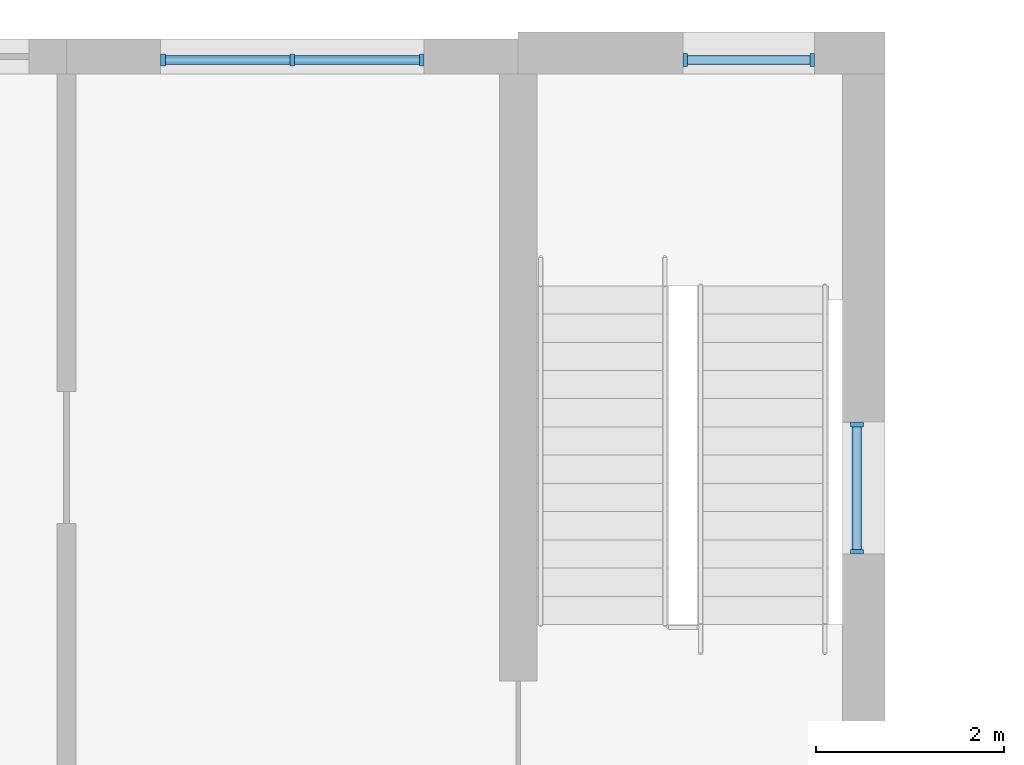
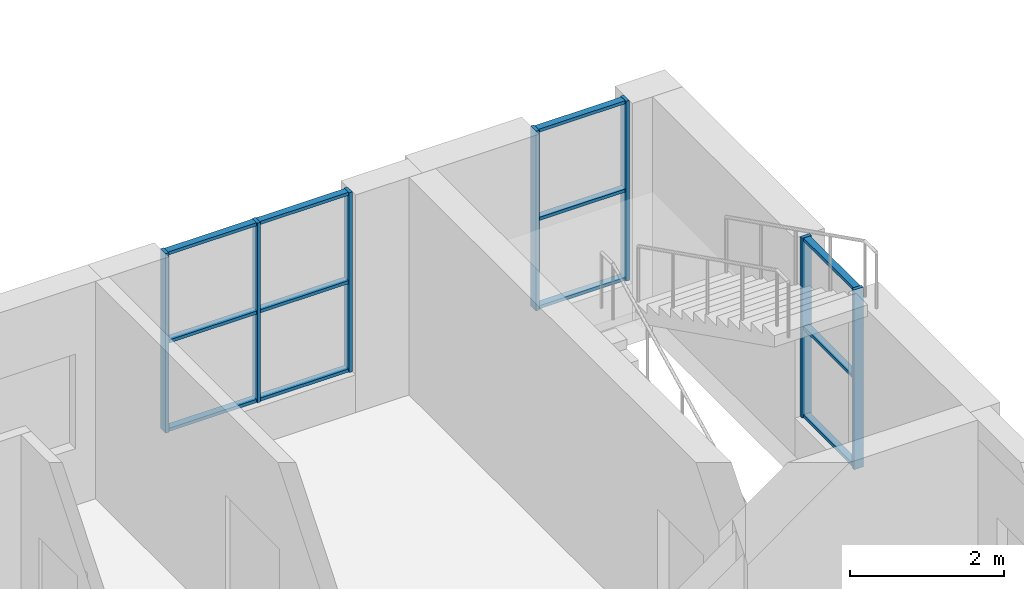
# One storey, part 33 of 94: 19 members, 3 elements without a shape of their own.
"""IFC4 building model written with IfcOpenShell, lengths in metres."""

from ifc_helpers import new_model, si_unit, direction, frame, origin, origin_2d, place, context, subcontext, project, spatial, rectangle, extrude, material, material_profile, profile_set, type_object, element, aggregate, save


model = new_model("IFC4")

# Units and contexts
model_context = context("Model", 3, precision=1e-05, world=origin(), true_north=direction((0.0, 1.0)))
body_context = subcontext(model_context, "Body", "Model", "MODEL_VIEW")
ifc_project = project(units=[si_unit("LENGTHUNIT", "METRE"), si_unit("AREAUNIT", "SQUARE_METRE"), si_unit("VOLUMEUNIT", "CUBIC_METRE"), si_unit("PLANEANGLEUNIT", "RADIAN"), si_unit("MASSUNIT", "GRAM", prefix="KILO")], contexts=[model_context])

# Site, building, storey
site_placement = place(None, origin())
site = spatial("IfcSite", under=ifc_project, at=site_placement, CompositionType="ELEMENT")
building_placement = place(site_placement, origin())
building = spatial("IfcBuilding", under=site, at=building_placement, Name="Yavir Park General Hospital", CompositionType="ELEMENT")
storey_placement = place(building_placement, frame((0.0, 0.0, 4.5)))
storey = spatial("IfcBuildingStorey", under=building, at=storey_placement, Name="L01", CompositionType="ELEMENT", Elevation=4.5)

# Curtain wall, members
ifc_material_1 = material(Name="Aluminium curtain wall frame with insulated glazing", Category="aluminium")
curtain_wall_type_1 = type_object("IfcCurtainWallType", Name="Clinical corridor end glazing, 2850 high, 1400 module", PredefinedType="NOTDEFINED", material=ifc_material_1)
curtain_wall_1_placement = place(storey_placement, origin())
curtain_wall_1 = element("IfcCurtainWall", 1, at=curtain_wall_1_placement, inside=storey, type_object=curtain_wall_type_1, Name="CW18 L01-011", PredefinedType="NOTDEFINED")
ifc_material_2 = material(Name="Aluminium", Category="aluminium")
ifc_material_profile_1 = material_profile(ifc_material_2, rectangle(XDim=0.1298828125, YDim=0.050048828125, at=origin_2d()), Name="AL 50x130")
ifc_profile_set_1 = profile_set([ifc_material_profile_1], Name="Aluminium")
member_type_1 = type_object("IfcMemberType", Name="Clinical corridor end glazing, 2850 high mullion 50 x 130", PredefinedType="MULLION", material=ifc_profile_set_1)
member_1_placement = place(storey_placement, frame((17.824951171875, 117.60009765625, 0.60009765625), z_axis=(0.0, 0.0, 1.0), x_axis=(0.0, 1.0, 0.0)))
member_1 = element("IfcMember", 2, at=member_1_placement, type_object=member_type_1, Name="CW18 mullion 1", PredefinedType="MULLION", context=body_context, shape_type="SweptSolid", body=[
    extrude(rectangle(XDim=0.1298828125, YDim=0.050048828125, at=origin_2d()), origin(), (0.0, 0.0, 1.0), 2.849853515625),
])
member_2_placement = place(storey_placement, frame((19.199951171875, 117.60009765625, 0.60009765625), z_axis=(0.0, 0.0, 1.0), x_axis=(0.0, 1.0, 0.0)))
member_2 = element("IfcMember", 3, at=member_2_placement, type_object=member_type_1, Name="CW18 mullion 2", PredefinedType="MULLION", context=body_context, shape_type="SweptSolid", body=[
    extrude(rectangle(XDim=0.1298828125, YDim=0.050048828125, at=origin_2d()), origin(), (0.0, 0.0, 1.0), 2.849853515625),
])
member_3_placement = place(storey_placement, frame((20.574951171875, 117.60009765625, 0.60009765625), z_axis=(0.0, 0.0, 1.0), x_axis=(0.0, 1.0, 0.0)))
member_3 = element("IfcMember", 4, at=member_3_placement, type_object=member_type_1, Name="CW18 mullion 3", PredefinedType="MULLION", context=body_context, shape_type="SweptSolid", body=[
    extrude(rectangle(XDim=0.1298828125, YDim=0.050048828125, at=origin_2d()), origin(), (0.0, 0.0, 1.0), 2.849853515625),
])
ifc_material_3 = material(Name="Aluminium", Category="aluminium")
ifc_material_profile_2 = material_profile(ifc_material_3, rectangle(XDim=0.10009765625, YDim=0.050048828125, at=origin_2d()), Name="AL 100x50")
ifc_profile_set_2 = profile_set([ifc_material_profile_2], Name="Aluminium")
member_type_2 = type_object("IfcMemberType", Name="Clinical corridor end glazing, 2850 high transom 50 x 100", PredefinedType="MULLION", material=ifc_profile_set_2)
member_4_placement = place(storey_placement, frame((17.85009765625, 117.60009765625, 0.625), z_axis=(1.0, 0.0, 0.0), x_axis=(0.0, 1.0, 0.0)))
member_4 = element("IfcMember", 5, at=member_4_placement, type_object=member_type_2, Name="CW18 transom 1.1", PredefinedType="MULLION", context=body_context, shape_type="SweptSolid", body=[
    extrude(rectangle(XDim=0.10009765625, YDim=0.050048828125, at=origin_2d()), origin(), (0.0, 0.0, 1.0), 1.324951171875),
])
member_5_placement = place(storey_placement, frame((17.85009765625, 117.60009765625, 2.02490234375), z_axis=(1.0, 0.0, 0.0), x_axis=(0.0, 1.0, 0.0)))
member_5 = element("IfcMember", 6, at=member_5_placement, type_object=member_type_2, Name="CW18 transom 1.2", PredefinedType="MULLION", context=body_context, shape_type="SweptSolid", body=[
    extrude(rectangle(XDim=0.10009765625, YDim=0.050048828125, at=origin_2d()), origin(), (0.0, 0.0, 1.0), 1.324951171875),
])
member_6_placement = place(storey_placement, frame((17.85009765625, 117.60009765625, 3.425048828125), z_axis=(1.0, 0.0, 0.0), x_axis=(0.0, 1.0, 0.0)))
member_6 = element("IfcMember", 7, at=member_6_placement, type_object=member_type_2, Name="CW18 transom 1.3", PredefinedType="MULLION", context=body_context, shape_type="SweptSolid", body=[
    extrude(rectangle(XDim=0.10009765625, YDim=0.050048828125, at=origin_2d()), origin(), (0.0, 0.0, 1.0), 1.324951171875),
])
member_7_placement = place(storey_placement, frame((19.22509765625, 117.60009765625, 0.625), z_axis=(1.0, 0.0, 0.0), x_axis=(0.0, 1.0, 0.0)))
member_7 = element("IfcMember", 8, at=member_7_placement, type_object=member_type_2, Name="CW18 transom 2.1", PredefinedType="MULLION", context=body_context, shape_type="SweptSolid", body=[
    extrude(rectangle(XDim=0.10009765625, YDim=0.050048828125, at=origin_2d()), origin(), (0.0, 0.0, 1.0), 1.324951171875),
])
member_8_placement = place(storey_placement, frame((19.22509765625, 117.60009765625, 2.02490234375), z_axis=(1.0, 0.0, 0.0), x_axis=(0.0, 1.0, 0.0)))
member_8 = element("IfcMember", 9, at=member_8_placement, type_object=member_type_2, Name="CW18 transom 2.2", PredefinedType="MULLION", context=body_context, shape_type="SweptSolid", body=[
    extrude(rectangle(XDim=0.10009765625, YDim=0.050048828125, at=origin_2d()), origin(), (0.0, 0.0, 1.0), 1.324951171875),
])
member_9_placement = place(storey_placement, frame((19.22509765625, 117.60009765625, 3.425048828125), z_axis=(1.0, 0.0, 0.0), x_axis=(0.0, 1.0, 0.0)))
member_9 = element("IfcMember", 10, at=member_9_placement, type_object=member_type_2, Name="CW18 transom 2.3", PredefinedType="MULLION", context=body_context, shape_type="SweptSolid", body=[
    extrude(rectangle(XDim=0.10009765625, YDim=0.050048828125, at=origin_2d()), origin(), (0.0, 0.0, 1.0), 1.324951171875),
])
aggregate(curtain_wall_1, [member_1, member_2, member_3, member_4, member_5, member_6, member_7, member_8, member_9])

ifc_material_4 = material(Name="Aluminium curtain wall frame with insulated glazing", Category="aluminium")
curtain_wall_type_2 = type_object("IfcCurtainWallType", Name="Stair light slot, podium, 2850 high, 1400 module", PredefinedType="NOTDEFINED", material=ifc_material_4)
curtain_wall_2_placement = place(storey_placement, origin())
curtain_wall_2 = element("IfcCurtainWall", 11, at=curtain_wall_2_placement, inside=storey, type_object=curtain_wall_type_2, Name="CW9 L01-012", PredefinedType="NOTDEFINED")
ifc_material_5 = material(Name="Aluminium", Category="aluminium")
ifc_material_profile_3 = material_profile(ifc_material_5, rectangle(XDim=0.139892578125, YDim=0.050048828125, at=origin_2d()), Name="AL 50x140")
ifc_profile_set_3 = profile_set([ifc_material_profile_3], Name="Aluminium")
member_type_3 = type_object("IfcMemberType", Name="Stair light slot, podium, 2850 high mullion 50 x 140", PredefinedType="MULLION", material=ifc_profile_set_3)
member_10_placement = place(storey_placement, frame((23.375, 117.60009765625, 0.60009765625), z_axis=(0.0, 0.0, 1.0), x_axis=(0.0, 1.0, 0.0)))
member_10 = element("IfcMember", 12, at=member_10_placement, type_object=member_type_3, Name="CW9 mullion 1", PredefinedType="MULLION", context=body_context, shape_type="SweptSolid", body=[
    extrude(rectangle(XDim=0.139892578125, YDim=0.050048828125, at=origin_2d()), origin(), (0.0, 0.0, 1.0), 2.849853515625),
])
member_11_placement = place(storey_placement, frame((24.72509765625, 117.60009765625, 0.60009765625), z_axis=(0.0, 0.0, 1.0), x_axis=(0.0, 1.0, 0.0)))
member_11 = element("IfcMember", 13, at=member_11_placement, type_object=member_type_3, Name="CW9 mullion 2", PredefinedType="MULLION", context=body_context, shape_type="SweptSolid", body=[
    extrude(rectangle(XDim=0.139892578125, YDim=0.050048828125, at=origin_2d()), origin(), (0.0, 0.0, 1.0), 2.849853515625),
])

curtain_wall_3_placement = place(storey_placement, origin())
curtain_wall_3 = element("IfcCurtainWall", 14, at=curtain_wall_3_placement, inside=storey, type_object=curtain_wall_type_2, Name="CW9 L01-021", PredefinedType="NOTDEFINED")
member_12_placement = place(storey_placement, frame((25.199951171875, 112.375, 0.60009765625), z_axis=(0.0, 0.0, 1.0), x_axis=(-1.0, 0.0, 0.0)))
member_12 = element("IfcMember", 15, at=member_12_placement, type_object=member_type_3, Name="CW9 mullion 1", PredefinedType="MULLION", context=body_context, shape_type="SweptSolid", body=[
    extrude(rectangle(XDim=0.139892578125, YDim=0.050048828125, at=origin_2d()), origin(), (0.0, 0.0, 1.0), 2.849853515625),
])
member_13_placement = place(storey_placement, frame((25.199951171875, 113.72509765625, 0.60009765625), z_axis=(0.0, 0.0, 1.0), x_axis=(-1.0, 0.0, 0.0)))
member_13 = element("IfcMember", 16, at=member_13_placement, type_object=member_type_3, Name="CW9 mullion 2", PredefinedType="MULLION", context=body_context, shape_type="SweptSolid", body=[
    extrude(rectangle(XDim=0.139892578125, YDim=0.050048828125, at=origin_2d()), origin(), (0.0, 0.0, 1.0), 2.849853515625),
])

# Member
ifc_material_6 = material(Name="Aluminium", Category="aluminium")
ifc_material_profile_4 = material_profile(ifc_material_6, rectangle(XDim=0.10009765625, YDim=0.050048828125, at=origin_2d()), Name="AL 100x50")
ifc_profile_set_4 = profile_set([ifc_material_profile_4], Name="Aluminium")
member_type_4 = type_object("IfcMemberType", Name="Stair light slot, podium, 2850 high transom 50 x 100", PredefinedType="MULLION", material=ifc_profile_set_4)
member_14_placement = place(storey_placement, frame((23.39990234375, 117.60009765625, 0.625), z_axis=(1.0, 0.0, 0.0), x_axis=(0.0, 1.0, 0.0)))
member_14 = element("IfcMember", 17, at=member_14_placement, type_object=member_type_4, Name="CW9 transom 1.1", PredefinedType="MULLION", context=body_context, shape_type="SweptSolid", body=[
    extrude(rectangle(XDim=0.10009765625, YDim=0.050048828125, at=origin_2d()), origin(), (0.0, 0.0, 1.0), 1.300048828125),
])

member_15_placement = place(storey_placement, frame((23.39990234375, 117.60009765625, 2.02490234375), z_axis=(1.0, 0.0, 0.0), x_axis=(0.0, 1.0, 0.0)))
member_15 = element("IfcMember", 18, at=member_15_placement, type_object=member_type_4, Name="CW9 transom 1.2", PredefinedType="MULLION", context=body_context, shape_type="SweptSolid", body=[
    extrude(rectangle(XDim=0.10009765625, YDim=0.050048828125, at=origin_2d()), origin(), (0.0, 0.0, 1.0), 1.300048828125),
])

member_16_placement = place(storey_placement, frame((23.39990234375, 117.60009765625, 3.425048828125), z_axis=(1.0, 0.0, 0.0), x_axis=(0.0, 1.0, 0.0)))
member_16 = element("IfcMember", 19, at=member_16_placement, type_object=member_type_4, Name="CW9 transom 1.3", PredefinedType="MULLION", context=body_context, shape_type="SweptSolid", body=[
    extrude(rectangle(XDim=0.10009765625, YDim=0.050048828125, at=origin_2d()), origin(), (0.0, 0.0, 1.0), 1.300048828125),
])

aggregate(curtain_wall_2, [member_10, member_11, member_14, member_15, member_16])

member_17_placement = place(storey_placement, frame((25.199951171875, 112.39990234375, 0.625), z_axis=(0.0, 1.0, 0.0), x_axis=(-1.0, 0.0, 0.0)))
member_17 = element("IfcMember", 20, at=member_17_placement, type_object=member_type_4, Name="CW9 transom 1.1", PredefinedType="MULLION", context=body_context, shape_type="SweptSolid", body=[
    extrude(rectangle(XDim=0.10009765625, YDim=0.050048828125, at=origin_2d()), origin(), (0.0, 0.0, 1.0), 1.300048828125),
])

member_18_placement = place(storey_placement, frame((25.199951171875, 112.39990234375, 2.02490234375), z_axis=(0.0, 1.0, 0.0), x_axis=(-1.0, 0.0, 0.0)))
member_18 = element("IfcMember", 21, at=member_18_placement, type_object=member_type_4, Name="CW9 transom 1.2", PredefinedType="MULLION", context=body_context, shape_type="SweptSolid", body=[
    extrude(rectangle(XDim=0.10009765625, YDim=0.050048828125, at=origin_2d()), origin(), (0.0, 0.0, 1.0), 1.300048828125),
])

member_19_placement = place(storey_placement, frame((25.199951171875, 112.39990234375, 3.425048828125), z_axis=(0.0, 1.0, 0.0), x_axis=(-1.0, 0.0, 0.0)))
member_19 = element("IfcMember", 22, at=member_19_placement, type_object=member_type_4, Name="CW9 transom 1.3", PredefinedType="MULLION", context=body_context, shape_type="SweptSolid", body=[
    extrude(rectangle(XDim=0.10009765625, YDim=0.050048828125, at=origin_2d()), origin(), (0.0, 0.0, 1.0), 1.300048828125),
])

aggregate(curtain_wall_3, [member_12, member_13, member_17, member_18, member_19])

save(model, "model.ifc")
